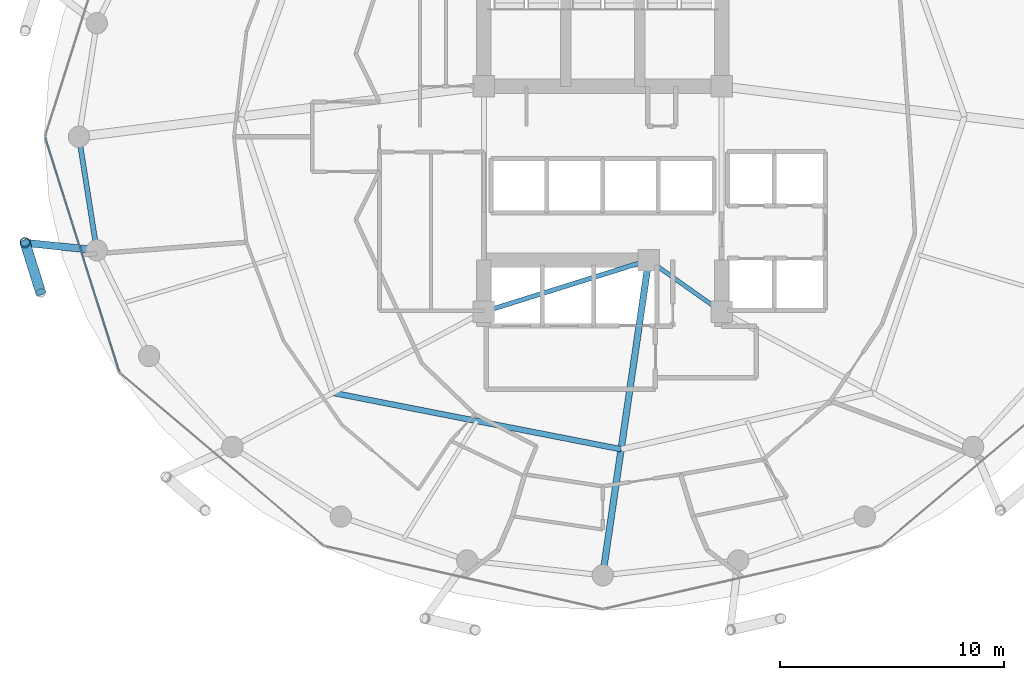
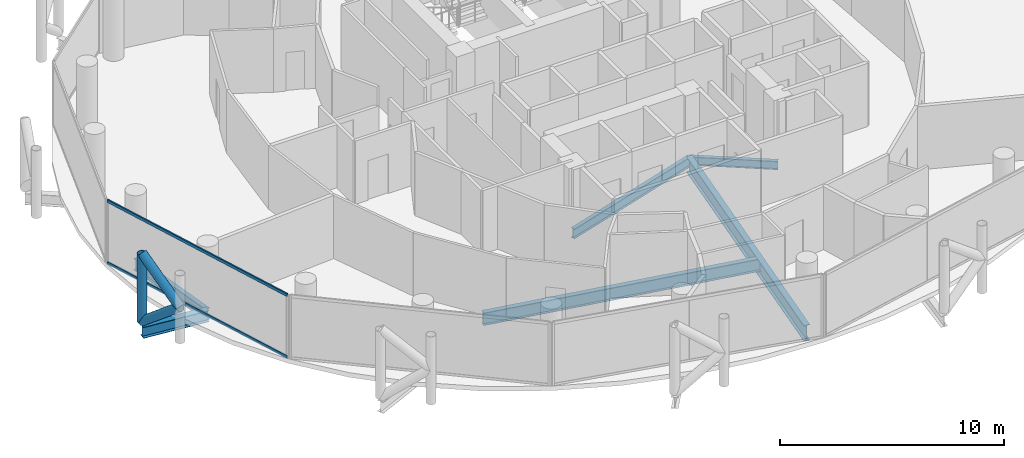
# One storey, part 5 of 26: 6 beams, 5 members, 1 element without a shape of its own.
"""IFC4 building model written with IfcOpenShell, lengths in metres."""

from ifc_helpers import new_model, si_unit, direction, frame, origin, origin_2d, place, context, subcontext, project, spatial, hollow_rectangle, hollow_circle, i_section, extrude, material, layer, layer_set, material_profile, profile_set, type_object, element, aggregate, save


model = new_model("IFC4")

# Units and contexts
model_context = context("Model", 3, precision=1e-05, world=origin(), true_north=direction((0.0, 1.0)))
body_context = subcontext(model_context, "Body", "Model", "MODEL_VIEW")
ifc_project = project(units=[si_unit("LENGTHUNIT", "METRE"), si_unit("AREAUNIT", "SQUARE_METRE"), si_unit("VOLUMEUNIT", "CUBIC_METRE"), si_unit("PLANEANGLEUNIT", "RADIAN"), si_unit("MASSUNIT", "GRAM", prefix="KILO")], contexts=[model_context])

# Site, building, storey
site_placement = place(None, origin())
site = spatial("IfcSite", under=ifc_project, at=site_placement, CompositionType="ELEMENT")
building_placement = place(site_placement, origin())
building = spatial("IfcBuilding", under=site, at=building_placement, Name="Nuhasar Tower", CompositionType="ELEMENT")
storey_placement = place(building_placement, frame((0.0, 0.0, 147.85009765625)))
storey = spatial("IfcBuildingStorey", under=building, at=storey_placement, Name="L35", CompositionType="ELEMENT", Elevation=147.85009765625)

# Beams
ifc_material_1 = material(Name="Steel S355", Category="steel")
ifc_material_profile_1 = material_profile(ifc_material_1, i_section(OverallWidth=0.25390625, OverallDepth=0.68408203125, WebThickness=0.012451171875, FlangeThickness=0.018798828125, at=origin_2d()), Name="W27X94")
ifc_profile_set_1 = profile_set([ifc_material_profile_1], Name="Steel S355")
beam_type_1 = type_object("IfcBeamType", Name="BM-INRING-W27X94", PredefinedType="BEAM", material=ifc_profile_set_1)
beam_1_placement = place(storey_placement, frame((26.972900390625, 15.385986328125, -0.592041015625), z_axis=(0.981359637088, -0.192180286956, 0.0), x_axis=(0.192180286956, 0.981359637088, 0.0)))
element("IfcBeam", 1, at=beam_1_placement, inside=storey, type_object=beam_type_1, Name="L35 Inner Header Beam 01", PredefinedType="BEAM", context=body_context, shape_type="SweptSolid", body=[
    extrude(i_section(OverallWidth=0.25390625, OverallDepth=0.68408203125, WebThickness=0.012451171875, FlangeThickness=0.018798828125, at=origin_2d()), origin(), (0.0, 0.0, 1.0), 13.09130859375),
])
ifc_material_profile_2 = material_profile(ifc_material_1, i_section(OverallWidth=0.2919921875, OverallDepth=0.85888671875, WebThickness=0.01708984375, FlangeThickness=0.031005859375, at=origin_2d()), Name="W33X169")
ifc_profile_set_2 = profile_set([ifc_material_profile_2], Name="Steel S355")
beam_type_2 = type_object("IfcBeamType", Name="BM-POD-W33X169", PredefinedType="BEAM", material=ifc_profile_set_2)
beam_2_placement = place(storey_placement, frame((41.050048828125, 21.300048828125, -0.67919921875), z_axis=(-0.144381604017, -0.989522082837, 0.0), x_axis=(0.989522082837, -0.144381604017, 0.0)))
element("IfcBeam", 2, at=beam_2_placement, inside=storey, type_object=beam_type_2, Name="L35 Radial Floor Girder 02", PredefinedType="BEAM", context=body_context, shape_type="SweptSolid", body=[
    extrude(i_section(OverallWidth=0.2919921875, OverallDepth=0.85888671875, WebThickness=0.01708984375, FlangeThickness=0.031005859375, at=origin_2d()), origin(), (0.0, 0.0, 1.0), 14.19873046875),
])
ifc_material_profile_3 = material_profile(ifc_material_1, i_section(OverallWidth=0.18994140625, OverallDepth=0.45703125, WebThickness=0.009033203125, FlangeThickness=0.014404296875, at=origin_2d()), Name="W18X50")
ifc_profile_set_3 = profile_set([ifc_material_profile_3], Name="Steel S355")
beam_type_3 = type_object("IfcBeamType", Name="BM-RAD-W18X50", PredefinedType="BEAM", material=ifc_profile_set_3)
beam_3_placement = place(storey_placement, frame((41.050048828125, 21.300048828125, -0.47900390625), z_axis=(0.816265428953, -0.577677028708, 0.0), x_axis=(0.577677028708, 0.816265428953, 0.0)))
element("IfcBeam", 3, at=beam_3_placement, inside=storey, type_object=beam_type_3, Name="L35 Core Ring Girder 2", PredefinedType="BEAM", context=body_context, shape_type="SweptSolid", body=[
    extrude(i_section(OverallWidth=0.18994140625, OverallDepth=0.45703125, WebThickness=0.009033203125, FlangeThickness=0.014404296875, at=origin_2d()), origin(), (0.0, 0.0, 1.0), 3.9814453125),
])
ifc_material_profile_4 = material_profile(ifc_material_1, i_section(OverallWidth=0.208984375, OverallDepth=0.532958984375, WebThickness=0.01025390625, FlangeThickness=0.015625, at=origin_2d()), Name="W21X62")
ifc_profile_set_4 = profile_set([ifc_material_profile_4], Name="Steel S355")
beam_type_4 = type_object("IfcBeamType", Name="BM-RAD-W21X62", PredefinedType="BEAM", material=ifc_profile_set_4)
beam_4_placement = place(storey_placement, frame((33.699951171875, 19.0, -0.51708984375), z_axis=(0.954363709454, 0.298646798205, 0.0), x_axis=(-0.298646798205, 0.954363709454, 0.0)))
element("IfcBeam", 4, at=beam_4_placement, inside=storey, type_object=beam_type_4, Name="L35 Core Ring Girder 1", PredefinedType="BEAM", context=body_context, shape_type="SweptSolid", body=[
    extrude(i_section(OverallWidth=0.208984375, OverallDepth=0.532958984375, WebThickness=0.01025390625, FlangeThickness=0.015625, at=origin_2d()), origin(), (0.0, 0.0, 1.0), 7.70166015625),
])
ifc_material_profile_5 = material_profile(ifc_material_1, i_section(OverallWidth=0.22998046875, OverallDepth=0.616943359375, WebThickness=0.01318359375, FlangeThickness=0.022216796875, at=origin_2d()), Name="W24X94")
ifc_profile_set_5 = profile_set([ifc_material_profile_5], Name="Steel S355")
beam_type_5 = type_object("IfcBeamType", Name="BM-RING-W24X94", PredefinedType="SPANDREL", material=ifc_profile_set_5)
beam_5_placement = place(storey_placement, frame((15.64990234375, 26.800048828125, -0.55908203125), z_axis=(0.155426543608, -0.987847452566, 0.0), x_axis=(0.987847452566, 0.155426543608, 0.0)))
element("IfcBeam", 5, at=beam_5_placement, inside=storey, type_object=beam_type_5, Name="L35 Perimeter Ring Spandrel 13", PredefinedType="SPANDREL", context=body_context, shape_type="SweptSolid", body=[
    extrude(i_section(OverallWidth=0.22998046875, OverallDepth=0.616943359375, WebThickness=0.01318359375, FlangeThickness=0.022216796875, at=origin_2d()), origin(), (0.0, 0.0, 1.0), 5.122314453125),
])
ifc_material_profile_6 = material_profile(ifc_material_1, i_section(OverallWidth=0.323974609375, OverallDepth=0.611083984375, WebThickness=0.0126953125, FlangeThickness=0.01904296875, at=origin_2d()), Name="W24X104")
ifc_profile_set_6 = profile_set([ifc_material_profile_6], Name="Steel S355")
beam_type_6 = type_object("IfcBeamType", Name="BM-TIE-W24X104", PredefinedType="BEAM", material=ifc_profile_set_6)
beam_6_placement = place(storey_placement, frame((16.446044921875, 21.739990234375, -0.55615234375), z_axis=(-0.994577694483, 0.103996200111, 0.0), x_axis=(-0.103996200111, -0.994577694483, 0.0)))
element("IfcBeam", 6, at=beam_6_placement, inside=storey, type_object=beam_type_6, Name="L35 Exoskeleton Node Tie Beam 07", PredefinedType="BEAM", context=body_context, shape_type="SweptSolid", body=[
    extrude(i_section(OverallWidth=0.323974609375, OverallDepth=0.611083984375, WebThickness=0.0126953125, FlangeThickness=0.01904296875, at=origin_2d()), origin(), (0.0, 0.0, 1.0), 3.21142578125),
])

# Curtain wall, members
ifc_material_2 = material(Name="Aluminium 6063-T6", Category="aluminium")
ifc_layer = layer(ifc_material_2, 0.199951171875)
ifc_layer_set = layer_set([ifc_layer], Name="Aluminium 6063-T6")
curtain_wall_type = type_object("IfcCurtainWallType", Name="CW-Z2-HTL", PredefinedType="NOTDEFINED", material=ifc_layer_set)
curtain_wall_placement = place(storey_placement, origin())
curtain_wall = element("IfcCurtainWall", 7, at=curtain_wall_placement, inside=storey, type_object=curtain_wall_type, Name="L35 Unitised Curtain Wall 07", PredefinedType="NOTDEFINED")
ifc_material_profile_7 = material_profile(ifc_material_2, hollow_rectangle(XDim=0.070068359375, YDim=0.159912109375, WallThickness=0.00439453125, at=origin_2d()), Name="CWT-3")
ifc_profile_set_7 = profile_set([ifc_material_profile_7], Name="Aluminium 6063-T6")
member_type_1 = type_object("IfcMemberType", Name="CW-TRN-S3", PredefinedType="USERDEFINED", material=ifc_profile_set_7)
member_1_placement = place(storey_placement, frame((14.1611328125, 26.733154296875, 0.034912109375), z_axis=(0.301608163352, -0.953431967053, 0.0), x_axis=(0.953431967053, 0.301608163352, 0.0)))
member_1 = element("IfcMember", 8, at=member_1_placement, type_object=member_type_1, Name="CW-Z2 transom 1.1", ObjectType="TRANSOM", PredefinedType="USERDEFINED", context=body_context, shape_type="SweptSolid", body=[
    extrude(hollow_rectangle(XDim=0.070068359375, YDim=0.159912109375, WallThickness=0.00439453125, at=origin_2d()), origin(), (0.0, 0.0, 1.0), 10.904296875),
])
member_2_placement = place(storey_placement, frame((14.1611328125, 26.733154296875, 3.414794921875), z_axis=(0.301608163352, -0.953431967053, 0.0), x_axis=(0.953431967053, 0.301608163352, 0.0)))
member_2 = element("IfcMember", 9, at=member_2_placement, type_object=member_type_1, Name="CW-Z2 transom 1.2", ObjectType="TRANSOM", PredefinedType="USERDEFINED", context=body_context, shape_type="SweptSolid", body=[
    extrude(hollow_rectangle(XDim=0.070068359375, YDim=0.159912109375, WallThickness=0.00439453125, at=origin_2d()), origin(), (0.0, 0.0, 1.0), 10.904296875),
])
aggregate(curtain_wall, [member_1, member_2])

# Members
ifc_material_3 = material(Name="Steel S460", Category="steel")
ifc_material_profile_8 = material_profile(ifc_material_3, hollow_circle(Radius=0.228515625, WallThickness=0.022216796875, at=origin_2d()), Name="HSS457X22.2")
ifc_profile_set_8 = profile_set([ifc_material_profile_8], Name="Steel S460")
member_type_2 = type_object("IfcMemberType", Name="EXO-BRONZE-457", PredefinedType="BRACE", material=ifc_profile_set_8)
member_3_placement = place(storey_placement, frame((13.251953125, 22.073974609375, 0.0), z_axis=(0.0, 0.0, 1.0), x_axis=(1.0, 0.0, 0.0)))
element("IfcMember", 10, at=member_3_placement, inside=storey, type_object=member_type_2, Name="L35 Exoskeleton Chord Column EC-07A", PredefinedType="BRACE", context=body_context, shape_type="SweptSolid", body=[
    extrude(hollow_circle(Radius=0.228515625, WallThickness=0.022216796875, at=origin_2d()), origin(), (0.0, 0.0, 1.0), 3.699951171875),
])
member_4_placement = place(storey_placement, frame((13.251953125, 22.073974609375, 0.0), z_axis=(0.233067628236, -0.74361641074, 0.626669062861), x_axis=(0.954228474306, 0.29907861646, 0.0)))
element("IfcMember", 11, at=member_4_placement, inside=storey, type_object=member_type_2, Name="L35 Bronze Diagrid Brace W1-07", PredefinedType="BRACE", context=body_context, shape_type="SweptSolid", body=[
    extrude(hollow_circle(Radius=0.228515625, WallThickness=0.022216796875, at=origin_2d()), origin(), (0.0, 0.0, 1.0), 2.951904296875),
])
member_5_placement = place(storey_placement, frame((13.93994140625, 19.87890625, 1.849853515625), z_axis=(-0.233055548538, 0.743577869731, 0.626719285599), x_axis=(-0.954228474306, -0.29907861646, 0.0)))
element("IfcMember", 12, at=member_5_placement, inside=storey, type_object=member_type_2, Name="L35 Bronze Diagrid Brace W2-07", PredefinedType="BRACE", context=body_context, shape_type="SweptSolid", body=[
    extrude(hollow_circle(Radius=0.228515625, WallThickness=0.022216796875, at=origin_2d()), origin(), (0.0, 0.0, 1.0), 2.9521484375),
])

save(model, "model.ifc")
